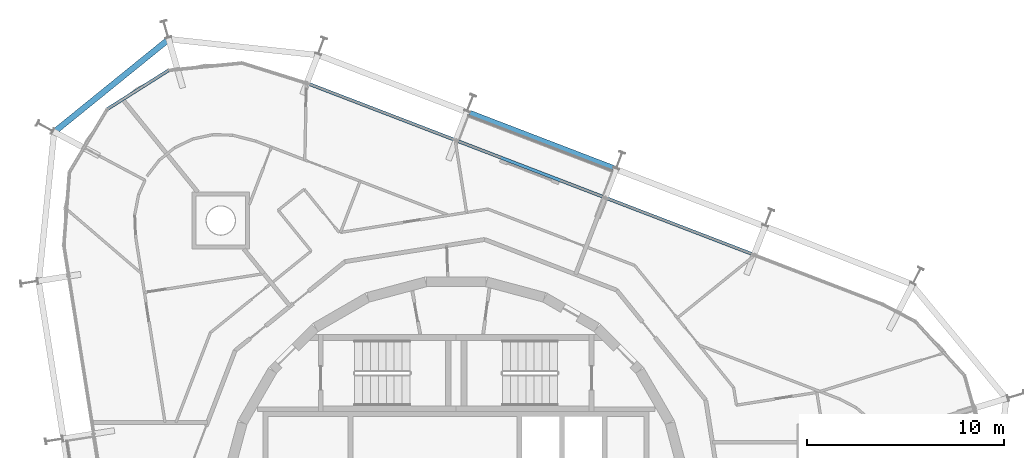
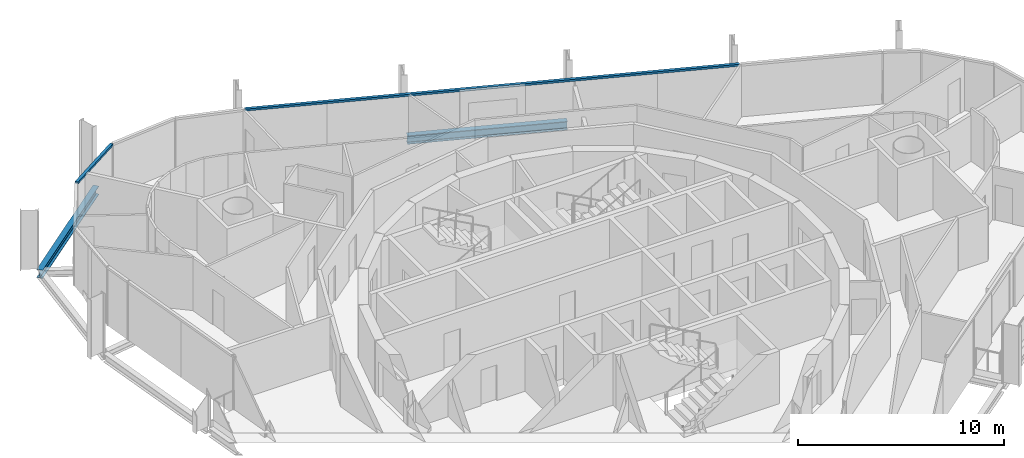
# One storey, part 7 of 17: 2 beams, 2 members, 2 elements without a shape of their own.
"""IFC4 building model written with IfcOpenShell, lengths in metres."""

import ifcopenshell
import ifcopenshell.guid

model = None  # the IFC model being written
_history = None  # IfcOwnerHistory: only IFC2X3 demands one
_inside = {}  # id of a spatial element -> (the spatial element, [elements in it])
_under = {}  # id of a project, library or spatial element -> (it, [spatial elements below it])
_declared = {}  # id of a project -> (the project, [libraries it declares])
_typed = {}  # id of a type object -> (the type object, [elements of that type])
_made_of = {}  # id of a material, layer set ... -> (it, [elements and type objects made of it])


def new_model(schema):
    """Start an empty IFC model of exactly this schema.

    Asked for "IFC4X3", IfcOpenShell would pick the latest addendum, in which some entities
    have other attributes; the version numbers below select the first issue.
    IFC2X3 requires an IfcOwnerHistory on every rooted entity: one is made here for all.
    """
    global model, _history
    if schema == "IFC4X3":
        model = ifcopenshell.file(schema_version=(4, 3, 0, 0))
    else:
        model = ifcopenshell.file(schema=schema)
    _inside.clear()
    _under.clear()
    _declared.clear()
    _typed.clear()
    _made_of.clear()
    _history = None
    if model.schema == "IFC2X3":
        org = make("IfcOrganization", Name="unknown")
        user = make(
            "IfcPersonAndOrganization",
            ThePerson=make("IfcPerson", FamilyName="unknown"),
            TheOrganization=org,
        )
        app = make(
            "IfcApplication",
            ApplicationDeveloper=org,
            Version="unknown",
            ApplicationFullName="unknown",
            ApplicationIdentifier="unknown",
        )
        _history = make(
            "IfcOwnerHistory",
            OwningUser=user,
            OwningApplication=app,
            ChangeAction="ADDED",
            CreationDate=0,
        )
    return model


def make(cls, **values):
    """One entity of the class cls with the attributes given. An attribute that is None is left unset."""
    return model.create_entity(
        cls, **{name: value for name, value in values.items() if value is not None}
    )


def rooted(cls, **values):
    """An entity with a GlobalId (a new one), such as an element, a storey or a relation."""
    return make(cls, GlobalId=ifcopenshell.guid.new(), OwnerHistory=_history, **values)


def si_unit(unit_type, name, prefix=None):
    """IfcSIUnit, for example si_unit("LENGTHUNIT", "METRE", prefix="MILLI")."""
    return make("IfcSIUnit", UnitType=unit_type, Prefix=prefix, Name=name)


def assignment(units):
    """IfcUnitAssignment: the units of a project."""
    return None if units is None else make("IfcUnitAssignment", Units=units)


def point(xyz):
    """IfcCartesianPoint."""
    return None if xyz is None else make("IfcCartesianPoint", Coordinates=xyz)


def direction(xyz):
    """IfcDirection."""
    return None if xyz is None else make("IfcDirection", DirectionRatios=xyz)


def frame(location, z_axis=None, x_axis=None):
    """IfcAxis2Placement3D, a coordinate frame: its origin and axes. An axis left out is left unset."""
    return make(
        "IfcAxis2Placement3D",
        Location=point(location),
        Axis=direction(z_axis),
        RefDirection=direction(x_axis),
    )


def frame_2d(location, x_axis=None):
    """IfcAxis2Placement2D, a coordinate frame in the plane: its origin and x axis."""
    return make(
        "IfcAxis2Placement2D", Location=point(location), RefDirection=direction(x_axis)
    )


def origin():
    """The frame at (0, 0, 0) with its axes left unset."""
    return frame((0.0, 0.0, 0.0))


def origin_2d():
    """The frame at (0, 0) in the plane with its x axis left unset."""
    return frame_2d((0.0, 0.0))


def place(relative_to, where):
    """IfcLocalPlacement: puts the frame where relative to a parent placement (None: the world)."""
    return make(
        "IfcLocalPlacement", PlacementRelTo=relative_to, RelativePlacement=where
    )


def context(
    kind, dimensions, precision=None, world=None, true_north=None, identifier=None
):
    """IfcGeometricRepresentationContext, for example the 3D "Model" context."""
    return make(
        "IfcGeometricRepresentationContext",
        ContextIdentifier=identifier,
        ContextType=kind,
        CoordinateSpaceDimension=dimensions,
        Precision=precision,
        WorldCoordinateSystem=world,
        TrueNorth=true_north,
    )


def subcontext(parent, identifier, kind, view, scale=None):
    """IfcGeometricRepresentationSubContext, for example "Body" below "Model"."""
    return make(
        "IfcGeometricRepresentationSubContext",
        ContextIdentifier=identifier,
        ContextType=kind,
        ParentContext=parent,
        TargetScale=scale,
        TargetView=view,
    )


def project(units=None, contexts=None):
    """IfcProject with its units and contexts."""
    return rooted(
        "IfcProject",
        Name="project",
        RepresentationContexts=contexts,
        UnitsInContext=assignment(units),
    )


def spatial(cls, under=None, at=None, **own):
    """A site, building, storey or space (cls), placed at a placement, below another one or the project."""
    s = rooted(cls, ObjectPlacement=at, **own)
    if under is not None:
        _under.setdefault(under.id(), (under, []))[1].append(s)
    return s


def profile(cls, at=None, kind="AREA", **sizes):
    """A parametric profile (cls). Its sizes go by their IFC names, for example OverallWidth=200.0."""
    return make(cls, ProfileType=kind, Position=at, **sizes)


def rectangle(**sizes):
    """IfcRectangleProfileDef."""
    return profile("IfcRectangleProfileDef", **sizes)


def i_section(**sizes):
    """IfcIShapeProfileDef."""
    return profile("IfcIShapeProfileDef", **sizes)


def extrude(swept, where, along, depth):
    """IfcExtrudedAreaSolid: the profile swept, set in the frame where, extruded along a direction by depth."""
    return make(
        "IfcExtrudedAreaSolid",
        SweptArea=swept,
        Position=where,
        ExtrudedDirection=direction(along),
        Depth=depth,
    )


def shape(context_of_items, identifier, shape_type, items):
    """IfcShapeRepresentation: the items that make up one representation, for example the "Body"."""
    return make(
        "IfcShapeRepresentation",
        ContextOfItems=context_of_items,
        RepresentationIdentifier=identifier,
        RepresentationType=shape_type,
        Items=items,
    )


def material(Name=None, Category=None):
    """IfcMaterial."""
    return make("IfcMaterial", Name=Name, Category=Category)


def layer(
    of_material, thickness, ventilated=None, Name=None, Category=None, Priority=None
):
    """IfcMaterialLayer: one layer of a wall or slab, of a material (None: an air gap)."""
    return make(
        "IfcMaterialLayer",
        Material=of_material,
        LayerThickness=thickness,
        IsVentilated=ventilated,
        Name=Name,
        Category=Category,
        Priority=Priority,
    )


def layer_set(layers, Name=None):
    """IfcMaterialLayerSet."""
    return make("IfcMaterialLayerSet", MaterialLayers=layers, LayerSetName=Name)


def material_profile(
    of_material, cross_section, Name=None, Category=None, Priority=None
):
    """IfcMaterialProfile: a cross section and its material."""
    return make(
        "IfcMaterialProfile",
        Name=Name,
        Material=of_material,
        Profile=cross_section,
        Priority=Priority,
        Category=Category,
    )


def profile_set(profiles, Name=None, composite=None):
    """IfcMaterialProfileSet."""
    return make(
        "IfcMaterialProfileSet",
        Name=Name,
        MaterialProfiles=profiles,
        CompositeProfile=composite,
    )


def made_of(thing, what):
    """Note that an element or type object is made of a material, layer set ...; save() writes the relation."""
    if what is not None:
        _made_of.setdefault(what.id(), (what, []))[1].append(thing)
    return thing


def type_object(cls, material=None, **own):
    """A type object (cls), such as IfcWallType, which elements share."""
    return made_of(rooted(cls, **own), material)


def element(
    cls,
    number,
    at=None,
    inside=None,
    cuts=None,
    type_object=None,
    material=None,
    context=None,
    identifier="Body",
    shape_type=None,
    held_by="IfcProductDefinitionShape",
    body=None,
    shapes=None,
    **own,
):
    """One element of the class cls, such as IfcWall. Its Tag is "e" and its number.

    at: its placement. inside: the storey or other place that contains it. cuts: it is an
    opening in that element (IfcRelVoidsElement). A single representation is given by context,
    identifier, shape_type and body (its items); several are given by shapes. held_by: the class
    of the entity that holds the representations. save() writes the other relations.
    """
    e = rooted(cls, Tag="e%d" % number, ObjectPlacement=at, **own)
    if body is not None:
        shapes = [shape(context, identifier, shape_type, body)]
    if shapes is not None:
        e.Representation = make(held_by, Representations=shapes)
    if inside is not None:
        _inside.setdefault(inside.id(), (inside, []))[1].append(e)
    if cuts is not None:
        rooted(
            "IfcRelVoidsElement", RelatingBuildingElement=cuts, RelatedOpeningElement=e
        )
    if type_object is not None:
        _typed.setdefault(type_object.id(), (type_object, []))[1].append(e)
    return made_of(e, material)


def aggregate(whole, parts):
    """IfcRelAggregates: a whole, such as a stair, and the parts it consists of."""
    return rooted("IfcRelAggregates", RelatingObject=whole, RelatedObjects=parts)


def save(model, path):
    """Write the relations noted so far, then the file.

    IfcRelAggregates (storeys below a building ...), IfcRelContainedInSpatialStructure (elements
    in a storey), IfcRelDefinesByType, IfcRelAssociatesMaterial and IfcRelDeclares: one each for
    every whole, place, type object, material and project.
    """
    for whole, parts in _under.values():
        aggregate(whole, parts)
    for where, things in _inside.values():
        rooted(
            "IfcRelContainedInSpatialStructure",
            RelatedElements=things,
            RelatingStructure=where,
        )
    for kind, things in _typed.values():
        rooted("IfcRelDefinesByType", RelatedObjects=things, RelatingType=kind)
    for what, things in _made_of.values():
        rooted("IfcRelAssociatesMaterial", RelatedObjects=things, RelatingMaterial=what)
    for by, libraries in _declared.values():
        rooted("IfcRelDeclares", RelatingContext=by, RelatedDefinitions=libraries)
    model.write(path)


model = new_model("IFC4")

# Units and contexts
model_context = context("Model", 3, precision=1e-05, world=origin(), true_north=direction((0.0, 1.0)))
body_context = subcontext(model_context, "Body", "Model", "MODEL_VIEW")
ifc_project = project(units=[si_unit("LENGTHUNIT", "METRE"), si_unit("AREAUNIT", "SQUARE_METRE"), si_unit("VOLUMEUNIT", "CUBIC_METRE"), si_unit("PLANEANGLEUNIT", "RADIAN"), si_unit("MASSUNIT", "GRAM", prefix="KILO")], contexts=[model_context])

# Site, building, storey
site_placement = place(None, origin())
site = spatial("IfcSite", under=ifc_project, at=site_placement, CompositionType="ELEMENT")
building_placement = place(site_placement, origin())
building = spatial("IfcBuilding", under=site, at=building_placement, Name="Spindle Arch Residences", CompositionType="ELEMENT")
storey_placement = place(building_placement, frame((0.0, 0.0, 284.39990234375)))
storey = spatial("IfcBuildingStorey", under=building, at=storey_placement, Name="L73", CompositionType="ELEMENT", Elevation=284.39990234375)

# Curtain wall, member
ifc_material_1 = material(Name="Aluminium bronze unitised frame with tinted glass", Category="aluminium")
ifc_layer_1 = layer(ifc_material_1, 0.159912109375)
ifc_layer_set_1 = layer_set([ifc_layer_1], Name="CW-C typical residential unitised wall")
curtain_wall_type_1 = type_object("IfcCurtainWallType", Name="CW-C typical residential unitised wall", PredefinedType="NOTDEFINED", material=ifc_layer_set_1)
curtain_wall_1_placement = place(storey_placement, origin())
curtain_wall_1 = element("IfcCurtainWall", 1, at=curtain_wall_1_placement, inside=storey, type_object=curtain_wall_type_1, Name="CW-C L73 run 2", PredefinedType="NOTDEFINED")
ifc_material_2 = material(Name="Aluminium bronze anodised transom", Category="aluminium")
ifc_material_profile_1 = material_profile(ifc_material_2, rectangle(XDim=0.159912109375, YDim=0.1201171875, at=origin_2d()), Name="TR 120x160")
ifc_profile_set_1 = profile_set([ifc_material_profile_1], Name="Aluminium bronze anodised transom")
member_type = type_object("IfcMemberType", Name="Bronze transom 120x160", PredefinedType="USERDEFINED", material=ifc_profile_set_1)
member_1_placement = place(storey_placement, frame((15.1015625, 13.0302734375, 3.06005859375), z_axis=(-0.933583473728, 0.358360011138, 0.0), x_axis=(-0.358360011138, -0.933583473728, 0.0)))
member_1 = element("IfcMember", 2, at=member_1_placement, type_object=member_type, Name="CW-C transom 00", ObjectType="TRANSOM", PredefinedType="USERDEFINED", context=body_context, shape_type="SweptSolid", body=[
    extrude(rectangle(XDim=0.159912109375, YDim=0.1201171875, at=origin_2d()), origin(), (0.0, 0.0, 1.0), 24.262939453125),
])
aggregate(curtain_wall_1, [member_1])

ifc_material_3 = material(Name="Aluminium bronze unitised frame with tinted glass", Category="aluminium")
ifc_layer_2 = layer(ifc_material_3, 0.159912109375)
ifc_layer_set_2 = layer_set([ifc_layer_2], Name="CW-D corner wall on the fillet arcs")
curtain_wall_type_2 = type_object("IfcCurtainWallType", Name="CW-D corner wall on the fillet arcs", PredefinedType="NOTDEFINED", material=ifc_layer_set_2)
curtain_wall_2_placement = place(storey_placement, origin())
curtain_wall_2 = element("IfcCurtainWall", 3, at=curtain_wall_2_placement, inside=storey, type_object=curtain_wall_type_2, Name="CW-D L73 run 3", PredefinedType="NOTDEFINED")
member_2_placement = place(storey_placement, frame((-14.608642578125, 22.38427734375, 3.06005859375), z_axis=(-0.844958488621, -0.53483189182, 0.0), x_axis=(0.53483189182, -0.844958488621, 0.0)))
member_2 = element("IfcMember", 4, at=member_2_placement, type_object=member_type, Name="CW-D transom 02", ObjectType="TRANSOM", PredefinedType="USERDEFINED", context=body_context, shape_type="SweptSolid", body=[
    extrude(rectangle(XDim=0.159912109375, YDim=0.1201171875, at=origin_2d()), origin(), (0.0, 0.0, 1.0), 3.6669921875),
])
aggregate(curtain_wall_2, [member_2])

# Beams
ifc_material_4 = material(Name="Steel S460ML, intumescent coating R 120", Category="steel")
ifc_material_profile_2 = material_profile(ifc_material_4, i_section(OverallWidth=0.300048828125, OverallDepth=0.5, WebThickness=0.014404296875, FlangeThickness=0.028076171875, FilletRadius=0.027099609375, at=origin_2d()), Name="HEB 500")
ifc_profile_set_2 = profile_set([ifc_material_profile_2], Name="Steel S460ML, intumescent coating R 120")
beam_type = type_object("IfcBeamType", Name="Exoskeleton edge beam HEB 500", PredefinedType="BEAM", material=ifc_profile_set_2)
beam_1_placement = place(storey_placement, frame((7.990966796875, 17.4091796875, -0.6298828125), z_axis=(-0.933573929793, 0.358384873579, 0.0), x_axis=(-0.358384873579, -0.933573929793, 0.0)))
element("IfcBeam", 5, at=beam_1_placement, inside=storey, type_object=beam_type, Name="Exoskeleton edge beam 7", PredefinedType="BEAM", context=body_context, shape_type="SweptSolid", body=[
    extrude(i_section(OverallWidth=0.300048828125, OverallDepth=0.5, WebThickness=0.014404296875, FlangeThickness=0.028076171875, FilletRadius=0.027099609375, at=origin_2d()), origin(), (0.0, 0.0, 1.0), 7.84765625),
])
beam_2_placement = place(storey_placement, frame((-14.536376953125, 24.014404296875, -0.6298828125), z_axis=(-0.777131622496, -0.62933809778, 0.0), x_axis=(0.62933809778, -0.777131622496, 0.0)))
element("IfcBeam", 6, at=beam_2_placement, inside=storey, type_object=beam_type, Name="Exoskeleton edge beam 10", PredefinedType="BEAM", context=body_context, shape_type="SweptSolid", body=[
    extrude(i_section(OverallWidth=0.300048828125, OverallDepth=0.5, WebThickness=0.014404296875, FlangeThickness=0.028076171875, FilletRadius=0.027099609375, at=origin_2d()), origin(), (0.0, 0.0, 1.0), 7.6318359375),
])

save(model, "model.ifc")
